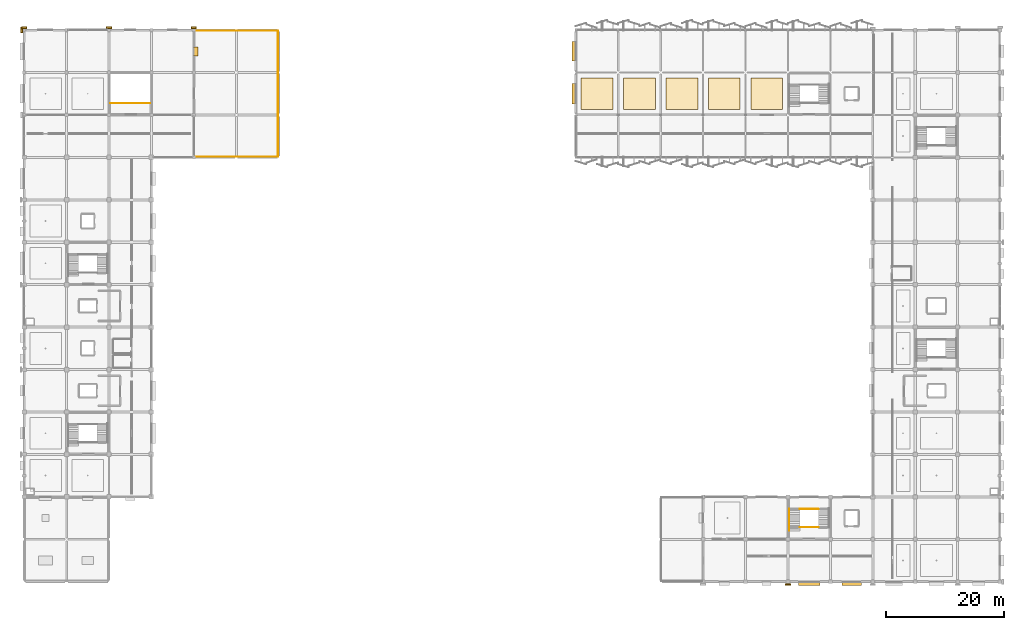
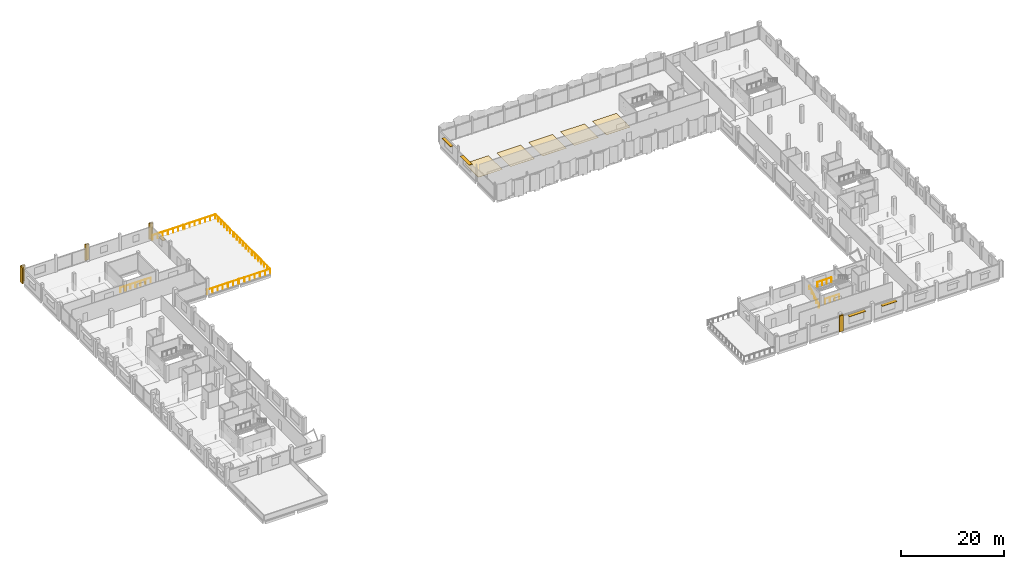
# One storey, part 89 of 91: 11 railings, 10 coverings, 5 shading devices.
"""IFC4 building model written with IfcOpenShell, lengths in metres."""

from ifc_helpers import new_model, si_unit, direction, frame, origin, origin_2d, place, context, subcontext, project, spatial, polyline, rectangle, circle, outline, extrude, material, layer, layer_set, type_object, element, save


model = new_model("IFC4")

# Units and contexts
model_context = context("Model", 3, precision=1e-05, world=origin(), true_north=direction((0.0, 1.0)))
body_context = subcontext(model_context, "Body", "Model", "MODEL_VIEW")
ifc_project = project(units=[si_unit("LENGTHUNIT", "METRE"), si_unit("AREAUNIT", "SQUARE_METRE"), si_unit("VOLUMEUNIT", "CUBIC_METRE"), si_unit("PLANEANGLEUNIT", "RADIAN"), si_unit("MASSUNIT", "GRAM", prefix="KILO")], contexts=[model_context])

# Site, building, storey
site_placement = place(None, origin())
site = spatial("IfcSite", under=ifc_project, at=site_placement, CompositionType="ELEMENT")
building_placement = place(site_placement, origin())
building = spatial("IfcBuilding", under=site, at=building_placement, Name="Kangsadwip Square Police Headquarters", CompositionType="ELEMENT")
storey_placement = place(building_placement, frame((0.0, 0.0, 13.5)))
storey = spatial("IfcBuildingStorey", under=building, at=storey_placement, Name="L03", CompositionType="ELEMENT", Elevation=13.5)

# Railings
ifc_material_1 = material(Name="Structural steel IS 2062 E250 (Grade 250, 250 MPa)", Category="steel")
railing_type_1 = type_object("IfcRailingType", Name="BalustradeGuard1100", PredefinedType="BALUSTRADE", material=ifc_material_1)
for number, where, name in (
    (1, (28.919921875, 115.080078125, 0.0), "Terrace Balustrade GR-L03-001"),
    (2, (28.919921875, 93.719970703125, 0.0), "Terrace Balustrade GR-L03-002"),
    (3, (36.1201171875, 115.080078125, 0.0), "Terrace Balustrade GR-L03-003"),
    (4, (36.1201171875, 93.719970703125, 0.0), "Terrace Balustrade GR-L03-004"),
):
    element("IfcRailing", number, at=place(storey_placement, frame(where)), inside=storey, type_object=railing_type_1, Name=name, PredefinedType="BALUSTRADE", context=body_context, shape_type="SweptSolid", body=[
        extrude(circle(Radius=0.02392578125, at=origin_2d()), frame((0.0, 0.0, 1.09619140625), z_axis=(1.0, 0.0, 0.0), x_axis=(0.0, 1.0, 0.0)), (0.0, 0.0, 1.0), 6.9599609375),
        extrude(circle(Radius=0.02099609375, at=origin_2d()), origin(), (0.0, 0.0, 1.0), 1.072021484375),
        extrude(circle(Radius=0.02099609375, at=origin_2d()), frame((1.159912109375, 0.0, 0.0)), (0.0, 0.0, 1.0), 1.072021484375),
        extrude(circle(Radius=0.02099609375, at=origin_2d()), frame((2.320068359375, 0.0, 0.0)), (0.0, 0.0, 1.0), 1.072021484375),
        extrude(circle(Radius=0.02099609375, at=origin_2d()), frame((3.47998046875, 0.0, 0.0)), (0.0, 0.0, 1.0), 1.072021484375),
        extrude(circle(Radius=0.02099609375, at=origin_2d()), frame((4.639892578125, 0.0, 0.0)), (0.0, 0.0, 1.0), 1.072021484375),
        extrude(circle(Radius=0.02099609375, at=origin_2d()), frame((5.800048828125, 0.0, 0.0)), (0.0, 0.0, 1.0), 1.072021484375),
        extrude(circle(Radius=0.02099609375, at=origin_2d()), frame((6.9599609375, 0.0, 0.0)), (0.0, 0.0, 1.0), 1.072021484375),
    ])
for number, where, name in (
    (5, (43.080078125, 93.719970703125, 0.0), "Terrace Balustrade GR-L03-005"),
    (6, (43.080078125, 100.919921875, 0.0), "Terrace Balustrade GR-L03-006"),
    (7, (43.080078125, 108.1201171875, 0.0), "Terrace Balustrade GR-L03-007"),
):
    element("IfcRailing", number, at=place(storey_placement, frame(where)), inside=storey, type_object=railing_type_1, Name=name, PredefinedType="BALUSTRADE", context=body_context, shape_type="SweptSolid", body=[
        extrude(circle(Radius=0.02392578125, at=origin_2d()), frame((0.0, 0.0, 1.09619140625), z_axis=(0.0, 1.0, 0.0), x_axis=(-1.0, 0.0, 0.0)), (0.0, 0.0, 1.0), 6.9599609375),
        extrude(circle(Radius=0.02099609375, at=origin_2d()), origin(), (0.0, 0.0, 1.0), 1.072021484375),
        extrude(circle(Radius=0.02099609375, at=origin_2d()), frame((0.0, 1.159912109375, 0.0)), (0.0, 0.0, 1.0), 1.072021484375),
        extrude(circle(Radius=0.02099609375, at=origin_2d()), frame((0.0, 2.320068359375, 0.0)), (0.0, 0.0, 1.0), 1.072021484375),
        extrude(circle(Radius=0.02099609375, at=origin_2d()), frame((0.0, 3.47998046875, 0.0)), (0.0, 0.0, 1.0), 1.072021484375),
        extrude(circle(Radius=0.02099609375, at=origin_2d()), frame((0.0, 4.639892578125, 0.0)), (0.0, 0.0, 1.0), 1.072021484375),
        extrude(circle(Radius=0.02099609375, at=origin_2d()), frame((0.0, 5.800048828125, 0.0)), (0.0, 0.0, 1.0), 1.072021484375),
        extrude(circle(Radius=0.02099609375, at=origin_2d()), frame((0.0, 6.9599609375, 0.0)), (0.0, 0.0, 1.0), 1.072021484375),
    ])
for number, where, name in (
    (8, (131.6298828125, 30.840087890625, 0.0), "Stair Guard ST-06 L03-154"),
    (9, (131.6298828125, 33.919921875, 2.10595703125), "Stair Guard ST-06 L03-155"),
):
    element("IfcRailing", number, at=place(storey_placement, frame(where)), inside=storey, type_object=railing_type_1, Name=name, PredefinedType="BALUSTRADE", context=body_context, shape_type="SweptSolid", body=[
        extrude(circle(Radius=0.02392578125, at=origin_2d()), frame((0.0, 0.0, 1.09619140625), z_axis=(1.0, 0.0, 0.0), x_axis=(0.0, 1.0, 0.0)), (0.0, 0.0, 1.0), 3.14013671875),
        extrude(circle(Radius=0.02099609375, at=origin_2d()), origin(), (0.0, 0.0, 1.0), 1.072021484375),
        extrude(circle(Radius=0.02099609375, at=origin_2d()), frame((1.046630859375, 0.0, 0.0)), (0.0, 0.0, 1.0), 1.072021484375),
        extrude(circle(Radius=0.02099609375, at=origin_2d()), frame((2.093505859375, 0.0, 0.0)), (0.0, 0.0, 1.0), 1.072021484375),
        extrude(circle(Radius=0.02099609375, at=origin_2d()), frame((3.14013671875, 0.0, 0.0)), (0.0, 0.0, 1.0), 1.072021484375),
    ])
railing_1_placement = place(storey_placement, frame((14.60009765625, 102.800048828125, 0.0)))
element("IfcRailing", 10, at=railing_1_placement, inside=storey, type_object=railing_type_1, Name="Top Stairwell Guard ST-07 L03", PredefinedType="BALUSTRADE", context=body_context, shape_type="SweptSolid", body=[
    extrude(circle(Radius=0.02392578125, at=origin_2d()), frame((0.0, 0.0, 1.09619140625), z_axis=(1.0, 0.0, 0.0), x_axis=(0.0, 1.0, 0.0)), (0.0, 0.0, 1.0), 6.7998046875),
    extrude(circle(Radius=0.02099609375, at=origin_2d()), origin(), (0.0, 0.0, 1.0), 1.072021484375),
    extrude(circle(Radius=0.02099609375, at=origin_2d()), frame((1.13330078125, 0.0, 0.0)), (0.0, 0.0, 1.0), 1.072021484375),
    extrude(circle(Radius=0.02099609375, at=origin_2d()), frame((2.2666015625, 0.0, 0.0)), (0.0, 0.0, 1.0), 1.072021484375),
    extrude(circle(Radius=0.02099609375, at=origin_2d()), frame((3.39990234375, 0.0, 0.0)), (0.0, 0.0, 1.0), 1.072021484375),
    extrude(circle(Radius=0.02099609375, at=origin_2d()), frame((4.533203125, 0.0, 0.0)), (0.0, 0.0, 1.0), 1.072021484375),
    extrude(circle(Radius=0.02099609375, at=origin_2d()), frame((5.66650390625, 0.0, 0.0)), (0.0, 0.0, 1.0), 1.072021484375),
    extrude(circle(Radius=0.02099609375, at=origin_2d()), frame((6.7998046875, 0.0, 0.0)), (0.0, 0.0, 1.0), 1.072021484375),
])

# Coverings
ifc_material_2 = material(Name="Seamless anti-static epoxy and polished Kota stone interior flooring", Category="masonry")
ifc_layer_1 = layer(ifc_material_2, 0.02001953125)
ifc_layer_set_1 = layer_set([ifc_layer_1], Name="Seamless anti-static epoxy and polished Kota stone interior flooring")
covering_type_1 = type_object("IfcCoveringType", Name="InteriorStoneEpoxyFloor", PredefinedType="FLOORING", material=ifc_layer_set_1)
covering_1_placement = place(storey_placement, origin())
element("IfcCovering", 11, at=covering_1_placement, inside=storey, type_object=covering_type_1, Name="Interior Floor Finish L03-113", PredefinedType="FLOORING", context=body_context, shape_type="SweptSolid", body=[
    extrude(outline(polyline([(94.5, 101.699951171875), (99.89990234375, 101.699951171875), (99.89990234375, 107.10009765625), (94.5, 107.10009765625), (94.5, 101.699951171875)])), origin(), (0.0, 0.0, 1.0), 0.02001953125),
])
covering_2_placement = place(storey_placement, origin())
element("IfcCovering", 12, at=covering_2_placement, inside=storey, type_object=covering_type_1, Name="Interior Floor Finish L03-114", PredefinedType="FLOORING", context=body_context, shape_type="SweptSolid", body=[
    extrude(outline(polyline([(101.699951171875, 101.699951171875), (107.10009765625, 101.699951171875), (107.10009765625, 107.10009765625), (101.699951171875, 107.10009765625), (101.699951171875, 101.699951171875)])), origin(), (0.0, 0.0, 1.0), 0.02001953125),
])
covering_3_placement = place(storey_placement, origin())
element("IfcCovering", 13, at=covering_3_placement, inside=storey, type_object=covering_type_1, Name="Interior Floor Finish L03-115", PredefinedType="FLOORING", context=body_context, shape_type="SweptSolid", body=[
    extrude(outline(polyline([(108.89990234375, 101.699951171875), (114.300048828125, 101.699951171875), (114.300048828125, 107.10009765625), (108.89990234375, 107.10009765625), (108.89990234375, 101.699951171875)])), origin(), (0.0, 0.0, 1.0), 0.02001953125),
])
covering_4_placement = place(storey_placement, origin())
element("IfcCovering", 14, at=covering_4_placement, inside=storey, type_object=covering_type_1, Name="Interior Floor Finish L03-116", PredefinedType="FLOORING", context=body_context, shape_type="SweptSolid", body=[
    extrude(outline(polyline([(116.10009765625, 101.699951171875), (121.5, 101.699951171875), (121.5, 107.10009765625), (116.10009765625, 107.10009765625), (116.10009765625, 101.699951171875)])), origin(), (0.0, 0.0, 1.0), 0.02001953125),
])
covering_5_placement = place(storey_placement, origin())
element("IfcCovering", 15, at=covering_5_placement, inside=storey, type_object=covering_type_1, Name="Interior Floor Finish L03-117", PredefinedType="FLOORING", context=body_context, shape_type="SweptSolid", body=[
    extrude(outline(polyline([(123.300048828125, 101.699951171875), (128.699951171875, 101.699951171875), (128.699951171875, 107.10009765625), (123.300048828125, 107.10009765625), (123.300048828125, 101.699951171875)])), origin(), (0.0, 0.0, 1.0), 0.02001953125),
])

# Railing
ifc_material_3 = material(Name="Structural steel IS 2062 E250 (Grade 250, 250 MPa)", Category="steel")
railing_type_2 = type_object("IfcRailingType", Name="StairPitchHandrail900", PredefinedType="HANDRAIL", material=ifc_material_3)
railing_2_placement = place(storey_placement, frame((129.840087890625, 30.239990234375, 0.0)))
element("IfcRailing", 16, at=railing_2_placement, inside=storey, type_object=railing_type_2, Name="Stair Handrail ST-06 L03-156", PredefinedType="HANDRAIL", context=body_context, shape_type="SweptSolid", body=[
    extrude(circle(Radius=0.02392578125, at=origin_2d()), frame((0.0, 0.0, 0.8759765625), z_axis=(0.0, 0.870225440575, 0.492653714668), x_axis=(-1.0, 0.0, 0.0)), (0.0, 0.0, 1.0), 4.274658203125),
    extrude(circle(Radius=0.02099609375, at=origin_2d()), origin(), (0.0, 0.0, 1.0), 0.851806640625),
    extrude(circle(Radius=0.02099609375, at=origin_2d()), frame((0.0, 0.929931640625, 0.5263671875)), (0.0, 0.0, 1.0), 0.851806640625),
    extrude(circle(Radius=0.02099609375, at=origin_2d()), frame((0.0, 1.85986328125, 1.052978515625)), (0.0, 0.0, 1.0), 0.851806640625),
    extrude(circle(Radius=0.02099609375, at=origin_2d()), frame((0.0, 2.7900390625, 1.57958984375)), (0.0, 0.0, 1.0), 0.851806640625),
    extrude(circle(Radius=0.02099609375, at=origin_2d()), frame((0.0, 3.719970703125, 2.10595703125)), (0.0, 0.0, 1.0), 0.851806640625),
])

# Coverings
ifc_material_4 = material(Name="Glazed architectural terracotta masonry rainscreen", Category="masonry")
ifc_layer_2 = layer(ifc_material_4, 0.034912109375)
ifc_layer_set_2 = layer_set([ifc_layer_2], Name="Glazed architectural terracotta masonry rainscreen")
covering_type_2 = type_object("IfcCoveringType", Name="TerracottaPierCladding", PredefinedType="CLADDING", material=ifc_layer_set_2)
covering_6_placement = place(storey_placement, origin())
element("IfcCovering", 17, at=covering_6_placement, inside=storey, type_object=covering_type_2, Name="Terracotta Pier Cladding L03-088", PredefinedType="CLADDING", context=body_context, shape_type="SweptSolid", body=[
    extrude(outline(polyline([(-0.574951171875, 114.760009765625), (-0.2548828125, 114.760009765625), (-0.2548828125, 115.639892578125), (-0.574951171875, 115.639892578125), (-0.574951171875, 114.760009765625)])), origin(), (0.0, 0.0, 1.0), 3.800048828125),
])
covering_7_placement = place(storey_placement, origin())
element("IfcCovering", 18, at=covering_7_placement, inside=storey, type_object=covering_type_2, Name="Terracotta Pier Cladding L03-096", PredefinedType="CLADDING", context=body_context, shape_type="SweptSolid", body=[
    extrude(outline(polyline([(-0.43994140625, 115.455078125), (0.43994140625, 115.455078125), (0.43994140625, 115.77490234375), (-0.43994140625, 115.77490234375), (-0.43994140625, 115.455078125)])), origin(), (0.0, 0.0, 1.0), 3.800048828125),
])
covering_8_placement = place(storey_placement, origin())
element("IfcCovering", 19, at=covering_8_placement, inside=storey, type_object=covering_type_2, Name="Terracotta Pier Cladding L03-097", PredefinedType="CLADDING", context=body_context, shape_type="SweptSolid", body=[
    extrude(outline(polyline([(13.9599609375, 115.455078125), (14.840087890625, 115.455078125), (14.840087890625, 115.77490234375), (13.9599609375, 115.77490234375), (13.9599609375, 115.455078125)])), origin(), (0.0, 0.0, 1.0), 3.800048828125),
])
covering_9_placement = place(storey_placement, origin())
element("IfcCovering", 20, at=covering_9_placement, inside=storey, type_object=covering_type_2, Name="Terracotta Pier Cladding L03-098", PredefinedType="CLADDING", context=body_context, shape_type="SweptSolid", body=[
    extrude(outline(polyline([(28.360107421875, 115.455078125), (29.239990234375, 115.455078125), (29.239990234375, 115.77490234375), (28.360107421875, 115.77490234375), (28.360107421875, 115.455078125)])), origin(), (0.0, 0.0, 1.0), 3.800048828125),
])
covering_10_placement = place(storey_placement, origin())
element("IfcCovering", 21, at=covering_10_placement, inside=storey, type_object=covering_type_2, Name="Terracotta Pier Cladding L03-103", PredefinedType="CLADDING", context=body_context, shape_type="SweptSolid", body=[
    extrude(outline(polyline([(129.159912109375, 20.97509765625), (130.0400390625, 20.97509765625), (130.0400390625, 21.294921875), (129.159912109375, 21.294921875), (129.159912109375, 20.97509765625)])), origin(), (0.0, 0.0, 1.0), 3.800048828125),
])

# Shading devices
ifc_material_5 = material(Name="Architectural terracotta and anodised aluminium AW-6061-T6", Category="aluminium")
shading_device_type = type_object("IfcShadingDeviceType", Name="TerracottaChhajjaAwning", PredefinedType="AWNING", material=ifc_material_5)
shading_device_1_placement = place(storey_placement, frame((133.199951171875, 21.300048828125, 2.86474609375), z_axis=(0.0, 0.0, 1.0), x_axis=(1.0, 0.0, 0.0)))
element("IfcShadingDevice", 22, at=shading_device_1_placement, inside=storey, type_object=shading_device_type, Name="Terracotta Chhajja Hood CHJ-L03-0162", PredefinedType="AWNING", context=body_context, shape_type="SweptSolid", body=[
    extrude(rectangle(XDim=3.699951171875, YDim=0.719970703125, at=origin_2d()), origin(), (0.0, 0.0, 1.0), 0.090087890625),
])
shading_device_2_placement = place(storey_placement, frame((140.39990234375, 21.300048828125, 2.76513671875), z_axis=(0.0, 0.0, 1.0), x_axis=(1.0, 0.0, 0.0)))
element("IfcShadingDevice", 23, at=shading_device_2_placement, inside=storey, type_object=shading_device_type, Name="Terracotta Chhajja Hood CHJ-L03-0163", PredefinedType="AWNING", context=body_context, shape_type="SweptSolid", body=[
    extrude(rectangle(XDim=3.300048828125, YDim=0.719970703125, at=origin_2d()), origin(), (0.0, 0.0, 1.0), 0.090087890625),
])
shading_device_3_placement = place(storey_placement, frame((29.10009765625, 111.58740234375, 2.36474609375), z_axis=(0.0, 0.0, 1.0), x_axis=(0.0, 1.0, 0.0)))
element("IfcShadingDevice", 24, at=shading_device_3_placement, inside=storey, type_object=shading_device_type, Name="Terracotta Chhajja Hood CHJ-L03-0187", PredefinedType="AWNING", context=body_context, shape_type="SweptSolid", body=[
    extrude(rectangle(XDim=1.550048828125, YDim=0.719970703125, at=origin_2d()), origin(), (0.0, 0.0, 1.0), 0.090087890625),
])
shading_device_4_placement = place(storey_placement, frame((93.300048828125, 104.39990234375, 2.81494140625), z_axis=(0.0, 0.0, 1.0), x_axis=(0.0, 1.0, 0.0)))
element("IfcShadingDevice", 25, at=shading_device_4_placement, inside=storey, type_object=shading_device_type, Name="Terracotta Chhajja Hood CHJ-L03-0188", PredefinedType="AWNING", context=body_context, shape_type="SweptSolid", body=[
    extrude(rectangle(XDim=3.5, YDim=0.719970703125, at=origin_2d()), origin(), (0.0, 0.0, 1.0), 0.090087890625),
])
shading_device_5_placement = place(storey_placement, frame((93.300048828125, 111.60009765625, 2.76513671875), z_axis=(0.0, 0.0, 1.0), x_axis=(0.0, 1.0, 0.0)))
element("IfcShadingDevice", 26, at=shading_device_5_placement, inside=storey, type_object=shading_device_type, Name="Terracotta Chhajja Hood CHJ-L03-0189", PredefinedType="AWNING", context=body_context, shape_type="SweptSolid", body=[
    extrude(rectangle(XDim=3.300048828125, YDim=0.719970703125, at=origin_2d()), origin(), (0.0, 0.0, 1.0), 0.090087890625),
])

save(model, "model.ifc")
